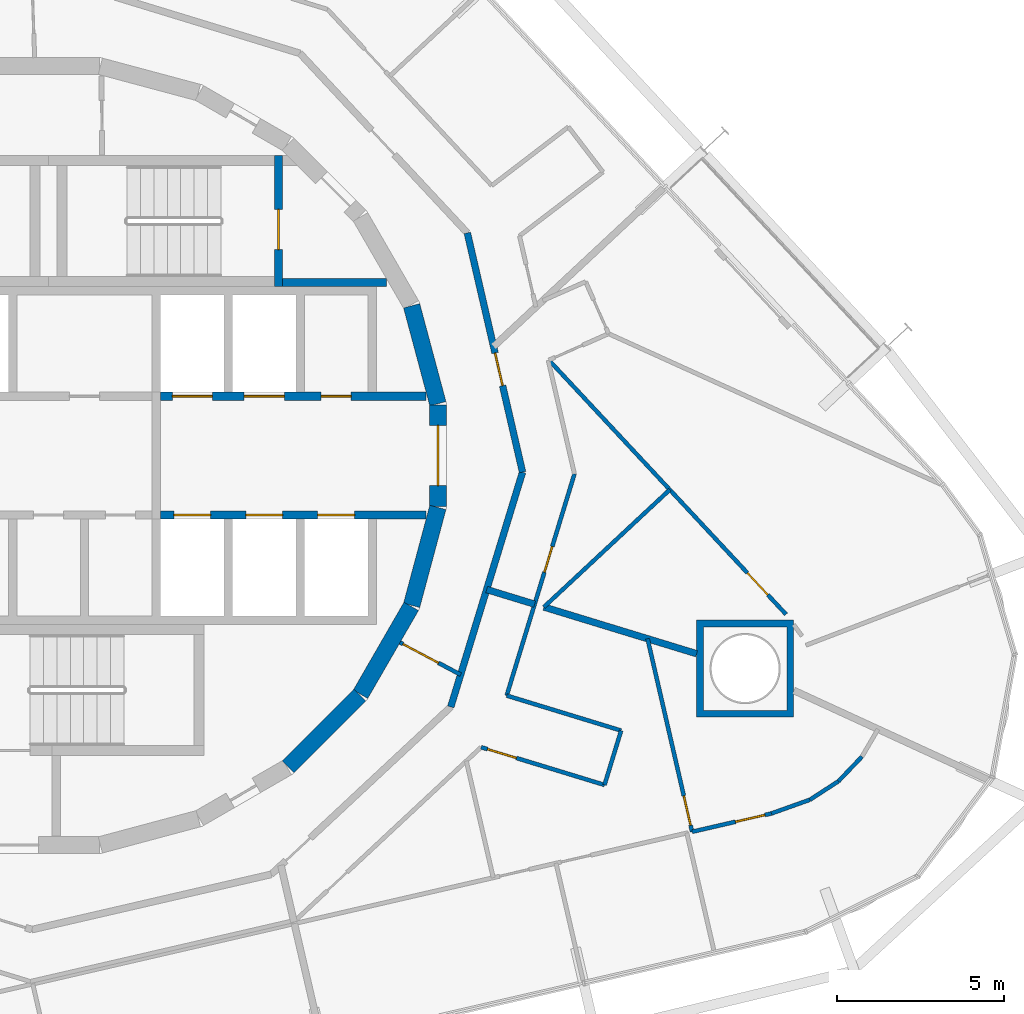
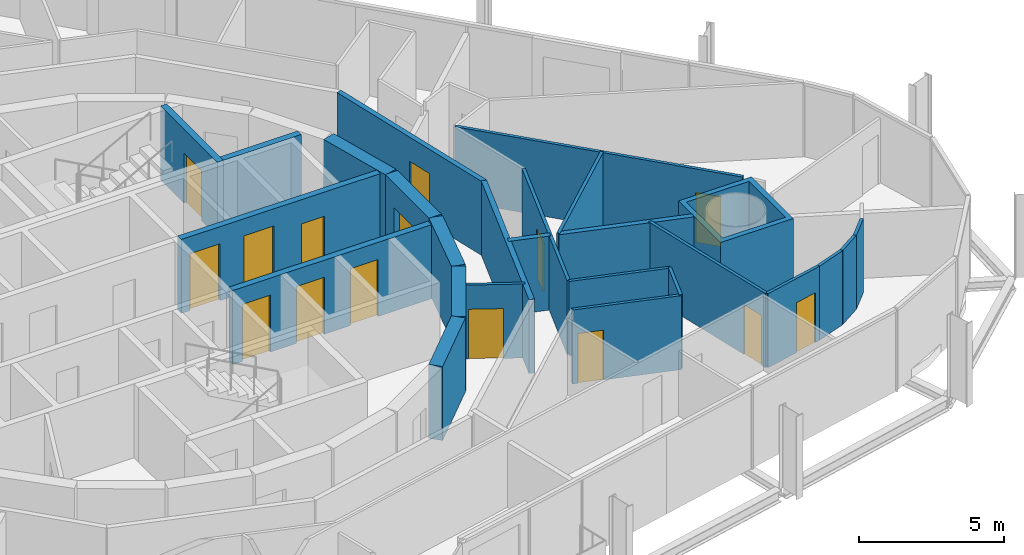
# One storey, part 14 of 18: 26 walls, 15 doors, 15 openings.
"""IFC4 building model written with IfcOpenShell, lengths in metres."""

import ifcopenshell
import ifcopenshell.guid

model = None  # the IFC model being written
_history = None  # IfcOwnerHistory: only IFC2X3 demands one
_inside = {}  # id of a spatial element -> (the spatial element, [elements in it])
_under = {}  # id of a project, library or spatial element -> (it, [spatial elements below it])
_declared = {}  # id of a project -> (the project, [libraries it declares])
_typed = {}  # id of a type object -> (the type object, [elements of that type])
_made_of = {}  # id of a material, layer set ... -> (it, [elements and type objects made of it])


def new_model(schema):
    """Start an empty IFC model of exactly this schema.

    Asked for "IFC4X3", IfcOpenShell would pick the latest addendum, in which some entities
    have other attributes; the version numbers below select the first issue.
    IFC2X3 requires an IfcOwnerHistory on every rooted entity: one is made here for all.
    """
    global model, _history
    if schema == "IFC4X3":
        model = ifcopenshell.file(schema_version=(4, 3, 0, 0))
    else:
        model = ifcopenshell.file(schema=schema)
    _inside.clear()
    _under.clear()
    _declared.clear()
    _typed.clear()
    _made_of.clear()
    _history = None
    if model.schema == "IFC2X3":
        org = make("IfcOrganization", Name="unknown")
        user = make(
            "IfcPersonAndOrganization",
            ThePerson=make("IfcPerson", FamilyName="unknown"),
            TheOrganization=org,
        )
        app = make(
            "IfcApplication",
            ApplicationDeveloper=org,
            Version="unknown",
            ApplicationFullName="unknown",
            ApplicationIdentifier="unknown",
        )
        _history = make(
            "IfcOwnerHistory",
            OwningUser=user,
            OwningApplication=app,
            ChangeAction="ADDED",
            CreationDate=0,
        )
    return model


def make(cls, **values):
    """One entity of the class cls with the attributes given. An attribute that is None is left unset."""
    return model.create_entity(
        cls, **{name: value for name, value in values.items() if value is not None}
    )


def rooted(cls, **values):
    """An entity with a GlobalId (a new one), such as an element, a storey or a relation."""
    return make(cls, GlobalId=ifcopenshell.guid.new(), OwnerHistory=_history, **values)


def si_unit(unit_type, name, prefix=None):
    """IfcSIUnit, for example si_unit("LENGTHUNIT", "METRE", prefix="MILLI")."""
    return make("IfcSIUnit", UnitType=unit_type, Prefix=prefix, Name=name)


def assignment(units):
    """IfcUnitAssignment: the units of a project."""
    return None if units is None else make("IfcUnitAssignment", Units=units)


def point(xyz):
    """IfcCartesianPoint."""
    return None if xyz is None else make("IfcCartesianPoint", Coordinates=xyz)


def direction(xyz):
    """IfcDirection."""
    return None if xyz is None else make("IfcDirection", DirectionRatios=xyz)


def frame(location, z_axis=None, x_axis=None):
    """IfcAxis2Placement3D, a coordinate frame: its origin and axes. An axis left out is left unset."""
    return make(
        "IfcAxis2Placement3D",
        Location=point(location),
        Axis=direction(z_axis),
        RefDirection=direction(x_axis),
    )


def frame_2d(location, x_axis=None):
    """IfcAxis2Placement2D, a coordinate frame in the plane: its origin and x axis."""
    return make(
        "IfcAxis2Placement2D", Location=point(location), RefDirection=direction(x_axis)
    )


def origin():
    """The frame at (0, 0, 0) with its axes left unset."""
    return frame((0.0, 0.0, 0.0))


def place(relative_to, where):
    """IfcLocalPlacement: puts the frame where relative to a parent placement (None: the world)."""
    return make(
        "IfcLocalPlacement", PlacementRelTo=relative_to, RelativePlacement=where
    )


def context(
    kind, dimensions, precision=None, world=None, true_north=None, identifier=None
):
    """IfcGeometricRepresentationContext, for example the 3D "Model" context."""
    return make(
        "IfcGeometricRepresentationContext",
        ContextIdentifier=identifier,
        ContextType=kind,
        CoordinateSpaceDimension=dimensions,
        Precision=precision,
        WorldCoordinateSystem=world,
        TrueNorth=true_north,
    )


def subcontext(parent, identifier, kind, view, scale=None):
    """IfcGeometricRepresentationSubContext, for example "Body" below "Model"."""
    return make(
        "IfcGeometricRepresentationSubContext",
        ContextIdentifier=identifier,
        ContextType=kind,
        ParentContext=parent,
        TargetScale=scale,
        TargetView=view,
    )


def project(units=None, contexts=None):
    """IfcProject with its units and contexts."""
    return rooted(
        "IfcProject",
        Name="project",
        RepresentationContexts=contexts,
        UnitsInContext=assignment(units),
    )


def spatial(cls, under=None, at=None, **own):
    """A site, building, storey or space (cls), placed at a placement, below another one or the project."""
    s = rooted(cls, ObjectPlacement=at, **own)
    if under is not None:
        _under.setdefault(under.id(), (under, []))[1].append(s)
    return s


def polyline(points):
    """IfcPolyline through the points."""
    return make("IfcPolyline", Points=[point(p) for p in points])


def profile(cls, at=None, kind="AREA", **sizes):
    """A parametric profile (cls). Its sizes go by their IFC names, for example OverallWidth=200.0."""
    return make(cls, ProfileType=kind, Position=at, **sizes)


def rectangle(**sizes):
    """IfcRectangleProfileDef."""
    return profile("IfcRectangleProfileDef", **sizes)


def outline(outer, holes=None, kind="AREA"):
    """IfcArbitraryClosedProfileDef: a profile drawn as a closed curve; with holes, ...WithVoids."""
    if holes is None:
        return make("IfcArbitraryClosedProfileDef", ProfileType=kind, OuterCurve=outer)
    return make(
        "IfcArbitraryProfileDefWithVoids",
        ProfileType=kind,
        OuterCurve=outer,
        InnerCurves=holes,
    )


def extrude(swept, where, along, depth):
    """IfcExtrudedAreaSolid: the profile swept, set in the frame where, extruded along a direction by depth."""
    return make(
        "IfcExtrudedAreaSolid",
        SweptArea=swept,
        Position=where,
        ExtrudedDirection=direction(along),
        Depth=depth,
    )


def shape(context_of_items, identifier, shape_type, items):
    """IfcShapeRepresentation: the items that make up one representation, for example the "Body"."""
    return make(
        "IfcShapeRepresentation",
        ContextOfItems=context_of_items,
        RepresentationIdentifier=identifier,
        RepresentationType=shape_type,
        Items=items,
    )


def material(Name=None, Category=None):
    """IfcMaterial."""
    return make("IfcMaterial", Name=Name, Category=Category)


def layer(
    of_material, thickness, ventilated=None, Name=None, Category=None, Priority=None
):
    """IfcMaterialLayer: one layer of a wall or slab, of a material (None: an air gap)."""
    return make(
        "IfcMaterialLayer",
        Material=of_material,
        LayerThickness=thickness,
        IsVentilated=ventilated,
        Name=Name,
        Category=Category,
        Priority=Priority,
    )


def layer_set(layers, Name=None):
    """IfcMaterialLayerSet."""
    return make("IfcMaterialLayerSet", MaterialLayers=layers, LayerSetName=Name)


def made_of(thing, what):
    """Note that an element or type object is made of a material, layer set ...; save() writes the relation."""
    if what is not None:
        _made_of.setdefault(what.id(), (what, []))[1].append(thing)
    return thing


def type_object(cls, material=None, **own):
    """A type object (cls), such as IfcWallType, which elements share."""
    return made_of(rooted(cls, **own), material)


def element(
    cls,
    number,
    at=None,
    inside=None,
    cuts=None,
    type_object=None,
    material=None,
    context=None,
    identifier="Body",
    shape_type=None,
    held_by="IfcProductDefinitionShape",
    body=None,
    shapes=None,
    **own,
):
    """One element of the class cls, such as IfcWall. Its Tag is "e" and its number.

    at: its placement. inside: the storey or other place that contains it. cuts: it is an
    opening in that element (IfcRelVoidsElement). A single representation is given by context,
    identifier, shape_type and body (its items); several are given by shapes. held_by: the class
    of the entity that holds the representations. save() writes the other relations.
    """
    e = rooted(cls, Tag="e%d" % number, ObjectPlacement=at, **own)
    if body is not None:
        shapes = [shape(context, identifier, shape_type, body)]
    if shapes is not None:
        e.Representation = make(held_by, Representations=shapes)
    if inside is not None:
        _inside.setdefault(inside.id(), (inside, []))[1].append(e)
    if cuts is not None:
        rooted(
            "IfcRelVoidsElement", RelatingBuildingElement=cuts, RelatedOpeningElement=e
        )
    if type_object is not None:
        _typed.setdefault(type_object.id(), (type_object, []))[1].append(e)
    return made_of(e, material)


def fill(opening, filler):
    """IfcRelFillsElement: the door or window that sits in an opening."""
    return rooted(
        "IfcRelFillsElement",
        RelatingOpeningElement=opening,
        RelatedBuildingElement=filler,
    )


def aggregate(whole, parts):
    """IfcRelAggregates: a whole, such as a stair, and the parts it consists of."""
    return rooted("IfcRelAggregates", RelatingObject=whole, RelatedObjects=parts)


def save(model, path):
    """Write the relations noted so far, then the file.

    IfcRelAggregates (storeys below a building ...), IfcRelContainedInSpatialStructure (elements
    in a storey), IfcRelDefinesByType, IfcRelAssociatesMaterial and IfcRelDeclares: one each for
    every whole, place, type object, material and project.
    """
    for whole, parts in _under.values():
        aggregate(whole, parts)
    for where, things in _inside.values():
        rooted(
            "IfcRelContainedInSpatialStructure",
            RelatedElements=things,
            RelatingStructure=where,
        )
    for kind, things in _typed.values():
        rooted("IfcRelDefinesByType", RelatedObjects=things, RelatingType=kind)
    for what, things in _made_of.values():
        rooted("IfcRelAssociatesMaterial", RelatedObjects=things, RelatingMaterial=what)
    for by, libraries in _declared.values():
        rooted("IfcRelDeclares", RelatingContext=by, RelatedDefinitions=libraries)
    model.write(path)


model = new_model("IFC4")

# Units and contexts
model_context = context("Model", 3, precision=1e-05, world=origin(), true_north=direction((0.0, 1.0)))
body_context = subcontext(model_context, "Body", "Model", "MODEL_VIEW")
ifc_project = project(units=[si_unit("LENGTHUNIT", "METRE"), si_unit("AREAUNIT", "SQUARE_METRE"), si_unit("VOLUMEUNIT", "CUBIC_METRE"), si_unit("PLANEANGLEUNIT", "RADIAN"), si_unit("MASSUNIT", "GRAM", prefix="KILO")], contexts=[model_context])

# Site, building, storey
site_placement = place(None, origin())
site = spatial("IfcSite", under=ifc_project, at=site_placement, CompositionType="ELEMENT")
building_placement = place(site_placement, origin())
building = spatial("IfcBuilding", under=site, at=building_placement, Name="Spindle Arch Residences", CompositionType="ELEMENT")
storey_placement = place(building_placement, frame((0.0, 0.0, 123.89990234375)))
storey = spatial("IfcBuildingStorey", under=building, at=storey_placement, Name="L30", CompositionType="ELEMENT", Elevation=123.89990234375)

# Walls
ifc_material_1 = material(Name="Concrete C50/60", Category="concrete")
ifc_layer_1 = layer(ifc_material_1, 0.5)
ifc_layer_set_1 = layer_set([ifc_layer_1], Name="Core outline wall 500")
wall_type_1 = type_object("IfcWallType", Name="Core outline wall 500", PredefinedType="SHEAR", material=ifc_layer_set_1)
wall_1_placement = place(storey_placement, frame((7.163818359375, -9.30810546875, 0.0), z_axis=(0.0, 0.0, 1.0), x_axis=(0.707106781187, 0.707106781187, 0.0)))
element("IfcWall", 1, at=wall_1_placement, inside=storey, type_object=wall_type_1, Name="Core outline wall 3", PredefinedType="SHEAR", context=body_context, shape_type="SweptSolid", body=[
    extrude(rectangle(XDim=3.032470703125, YDim=0.5, at=frame_2d((1.51611328125, 0.0))), origin(), (0.0, 0.0, 1.0), 3.1201171875),
])
for number, where, z_axis, x_axis, name in (
    (2, (9.32861328125, -7.13671875, 0.0), (0.0, 0.0, 1.0), (0.500087131594, 0.865975092491, 0.0), "Core outline wall 4"),
    (3, (10.858154296875, -4.479248046875, 0.0), (0.0, 0.0, 1.0), (0.258734743916, 0.965948410781, 0.0), "Core outline wall 5"),
):
    element("IfcWall", number, at=place(storey_placement, frame(where, z_axis=z_axis, x_axis=x_axis)), inside=storey, type_object=wall_type_1, Name=name, PredefinedType="SHEAR", context=body_context, shape_type="SweptSolid", body=[
        extrude(rectangle(XDim=3.03271484375, YDim=0.5, at=frame_2d((1.516357421875, 0.0))), origin(), (0.0, 0.0, 1.0), 3.1201171875),
    ])

# Wall, opening, door
wall_2_placement = place(storey_placement, frame((11.647216796875, -1.516357421875, 0.0), z_axis=(0.0, 0.0, 1.0), x_axis=(0.0, 1.0, 0.0)))
wall_2 = element("IfcWall", 4, at=wall_2_placement, inside=storey, type_object=wall_type_1, Name="Core outline wall 6", PredefinedType="SHEAR", context=body_context, shape_type="SweptSolid", body=[
    extrude(rectangle(XDim=3.03271484375, YDim=0.5, at=frame_2d((1.516357421875, 0.0))), origin(), (0.0, 0.0, 1.0), 3.1201171875),
])
opening_1_placement = place(wall_2_placement, frame((0.6162109375, 0.0, 0.0)))
opening_1 = element("IfcOpeningElement", 5, at=opening_1_placement, cuts=wall_2, Name="Opening R3B1-FE01", PredefinedType="OPENING", context=body_context, shape_type="SweptSolid", body=[
    extrude(rectangle(XDim=1.800048828125, YDim=2.10009765625, at=frame_2d((0.89990234375, 1.050048828125))), frame((0.0, 0.260009765625, 0.0), z_axis=(0.0, -1.0, 0.0), x_axis=(1.0, 0.0, 0.0)), (0.0, 0.0, 1.0), 0.52001953125),
])
ifc_material_2 = material(Name="Steel, fire-resisting door", Category="steel")
door_type_1 = type_object("IfcDoorType", Name="Fire-lift lobby door 1800x2100", OperationType="DOUBLE_DOOR_SINGLE_SWING", PredefinedType="DOOR", material=ifc_material_2)
door_1_placement = place(opening_1_placement, origin())
door_1 = element("IfcDoor", 6, at=door_1_placement, inside=storey, type_object=door_type_1, Name="Fire-lift lobby door R3B1-FE01", OperationType="DOUBLE_DOOR_SINGLE_SWING", OverallHeight=2.10009765625, OverallWidth=1.800048828125, PredefinedType="DOOR", context=body_context, shape_type="SweptSolid", body=[
    extrude(rectangle(XDim=1.800048828125, YDim=2.10009765625, at=frame_2d((0.89990234375, 1.050048828125))), frame((0.0, 0.02490234375, 0.0), z_axis=(0.0, -1.0, 0.0), x_axis=(1.0, 0.0, 0.0)), (0.0, 0.0, 1.0), 0.050048828125),
])
fill(opening_1, door_1)

# Wall
wall_3_placement = place(storey_placement, frame((11.642822265625, 1.5498046875, 0.0), z_axis=(0.0, 0.0, 1.0), x_axis=(-0.258734743916, 0.965948410781, 0.0)))
element("IfcWall", 7, at=wall_3_placement, inside=storey, type_object=wall_type_1, Name="Core outline wall 7", PredefinedType="SHEAR", context=body_context, shape_type="SweptSolid", body=[
    extrude(rectangle(XDim=3.03271484375, YDim=0.5, at=frame_2d((1.516357421875, 0.0))), origin(), (0.0, 0.0, 1.0), 3.1201171875),
])

# Wall, opening, door
ifc_material_3 = material(Name="Plasterboard on steel studs", Category="steel")
ifc_layer_2 = layer(ifc_material_3, 0.1201171875)
ifc_layer_set_2 = layer_set([ifc_layer_2], Name="Corridor division wall 120")
wall_type_2 = type_object("IfcWallType", Name="Corridor division wall 120", PredefinedType="PARTITIONING", material=ifc_layer_set_2)
wall_4_placement = place(storey_placement, frame((10.510986328125, -5.5888671875, 0.0), z_axis=(0.0, 0.0, 1.0), x_axis=(0.882987820808, -0.469395897196, 0.0)))
wall_4 = element("IfcWall", 8, at=wall_4_placement, inside=storey, type_object=wall_type_2, Name="Corridor division wall R3B1-W002", PredefinedType="PARTITIONING", context=body_context, shape_type="SweptSolid", body=[
    extrude(rectangle(XDim=2.0517578125, YDim=0.1201171875, at=frame_2d((1.02587890625, 0.0))), origin(), (0.0, 0.0, 1.0), 3.1201171875),
])
opening_2_placement = place(wall_4_placement, frame((0.10009765625, 0.0, 0.0)))
opening_2 = element("IfcOpeningElement", 9, at=opening_2_placement, cuts=wall_4, Name="Opening R3B1-CD02", PredefinedType="OPENING", context=body_context, shape_type="SweptSolid", body=[
    extrude(rectangle(XDim=1.199951171875, YDim=2.10009765625, at=frame_2d((0.60009765625, 1.050048828125))), frame((0.0, 0.070068359375, 0.0), z_axis=(0.0, -1.0, 0.0), x_axis=(1.0, 0.0, 0.0)), (0.0, 0.0, 1.0), 0.14013671875),
])
ifc_material_4 = material(Name="Steel, fire-resisting door", Category="steel")
door_type_2 = type_object("IfcDoorType", Name="Corridor division door 1200x2100", OperationType="NOTDEFINED", PredefinedType="DOOR", material=ifc_material_4)
door_2_placement = place(opening_2_placement, origin())
door_2 = element("IfcDoor", 10, at=door_2_placement, inside=storey, type_object=door_type_2, Name="Corridor division door R3B1-CD02", OperationType="DOUBLE_DOOR_SINGLE_SWING", OverallHeight=2.10009765625, OverallWidth=1.199951171875, PredefinedType="DOOR", context=body_context, shape_type="SweptSolid", body=[
    extrude(rectangle(XDim=1.199951171875, YDim=2.10009765625, at=frame_2d((0.60009765625, 1.050048828125))), frame((0.0, 0.02490234375, 0.0), z_axis=(0.0, -1.0, 0.0), x_axis=(1.0, 0.0, 0.0)), (0.0, 0.0, 1.0), 0.050048828125),
])
fill(opening_2, door_2)

ifc_material_5 = material(Name="Calcium silicate block, plastered")
ifc_layer_3 = layer(ifc_material_5, 0.199951171875)
ifc_layer_set_3 = layer_set([ifc_layer_3], Name="Corridor wall 200")
wall_type_3 = type_object("IfcWallType", Name="Corridor wall 200", PredefinedType="STANDARD", material=ifc_layer_set_3)
wall_5_placement = place(storey_placement, frame((14.174560546875, -0.4951171875, 0.0), z_axis=(0.0, 0.0, 1.0), x_axis=(-0.224922649383, 0.974376622151, 0.0)))
wall_5 = element("IfcWall", 11, at=wall_5_placement, inside=storey, type_object=wall_type_3, Name="Corridor wall R3B1-W004", PredefinedType="STANDARD", context=body_context, shape_type="SweptSolid", body=[
    extrude(rectangle(XDim=7.342041015625, YDim=0.199951171875, at=frame_2d((3.6708984375, 0.0))), origin(), (0.0, 0.0, 1.0), 3.1201171875),
])
opening_3_placement = place(wall_5_placement, frame((2.654541015625, 0.0, 0.0)))
opening_3 = element("IfcOpeningElement", 12, at=opening_3_placement, cuts=wall_5, Name="Opening R3B1-FD06", PredefinedType="OPENING", context=body_context, shape_type="SweptSolid", body=[
    extrude(rectangle(XDim=1.0, YDim=2.10009765625, at=frame_2d((0.5, 1.050048828125))), frame((0.0, 0.10986328125, 0.0), z_axis=(0.0, -1.0, 0.0), x_axis=(1.0, 0.0, 0.0)), (0.0, 0.0, 1.0), 0.219970703125),
])
ifc_material_6 = material(Name="Timber, fire-resisting door set", Category="wood")
door_type_3 = type_object("IfcDoorType", Name="Flat entrance door 1000x2100", OperationType="NOTDEFINED", PredefinedType="DOOR", material=ifc_material_6)
door_3_placement = place(opening_3_placement, origin())
door_3 = element("IfcDoor", 13, at=door_3_placement, inside=storey, type_object=door_type_3, Name="Flat entrance door R3B1-FD06", OperationType="SINGLE_SWING_LEFT", OverallHeight=2.10009765625, OverallWidth=1.0, PredefinedType="DOOR", context=body_context, shape_type="SweptSolid", body=[
    extrude(rectangle(XDim=1.0, YDim=2.10009765625, at=frame_2d((0.5, 1.050048828125))), frame((0.0, 0.02490234375, 0.0), z_axis=(0.0, -1.0, 0.0), x_axis=(1.0, 0.0, 0.0)), (0.0, 0.0, 1.0), 0.050048828125),
])
fill(opening_3, door_3)

# Wall
wall_6_placement = place(storey_placement, frame((12.028076171875, -7.51611328125, 0.0), z_axis=(0.0, 0.0, 1.0), x_axis=(0.292365533182, 0.956306642771, 0.0)))
element("IfcWall", 14, at=wall_6_placement, inside=storey, type_object=wall_type_3, Name="Corridor wall R3B1-W008", PredefinedType="STANDARD", context=body_context, shape_type="SweptSolid", body=[
    extrude(rectangle(XDim=7.341796875, YDim=0.199951171875, at=frame_2d((3.6708984375, 0.0))), origin(), (0.0, 0.0, 1.0), 3.1201171875),
])

# Wall, openings, doors
ifc_material_7 = material(Name="Concrete C40/50", Category="concrete")
ifc_layer_4 = layer(ifc_material_7, 0.25)
ifc_layer_set_4 = layer_set([ifc_layer_4], Name="Fire-lift lobby wall 250")
wall_type_4 = type_object("IfcWallType", Name="Fire-lift lobby wall 250", PredefinedType="SHEAR", material=ifc_layer_set_4)
wall_7_placement = place(storey_placement, frame((3.35009765625, 1.77490234375, 0.0), z_axis=(0.0, 0.0, 1.0), x_axis=(1.0, 0.0, 0.0)))
wall_7 = element("IfcWall", 15, at=wall_7_placement, inside=storey, type_object=wall_type_4, Name="Lift shaft front wall NE", PredefinedType="SHEAR", context=body_context, shape_type="SweptSolid", body=[
    extrude(rectangle(XDim=7.929931640625, YDim=0.25, at=frame_2d((3.96484375, 0.0))), origin(), (0.0, 0.0, 1.0), 3.1201171875),
])
opening_4_placement = place(wall_7_placement, frame((0.35009765625, 0.0, 0.0)))
opening_4 = element("IfcOpeningElement", 16, at=opening_4_placement, cuts=wall_7, Name="Opening R3B1-SLD01", PredefinedType="OPENING", context=body_context, shape_type="SweptSolid", body=[
    extrude(rectangle(XDim=1.199951171875, YDim=2.39990234375, at=frame_2d((0.60009765625, 1.199951171875))), frame((0.0, 0.135009765625, 0.0), z_axis=(0.0, -1.0, 0.0), x_axis=(1.0, 0.0, 0.0)), (0.0, 0.0, 1.0), 0.27001953125),
])
opening_5_placement = place(wall_7_placement, frame((2.5, 0.0, 0.0)))
opening_5 = element("IfcOpeningElement", 17, at=opening_5_placement, cuts=wall_7, Name="Opening R3B1-SLD02", PredefinedType="OPENING", context=body_context, shape_type="SweptSolid", body=[
    extrude(rectangle(XDim=1.199951171875, YDim=2.39990234375, at=frame_2d((0.60009765625, 1.199951171875))), frame((0.0, 0.135009765625, 0.0), z_axis=(0.0, -1.0, 0.0), x_axis=(1.0, 0.0, 0.0)), (0.0, 0.0, 1.0), 0.27001953125),
])
opening_6_placement = place(wall_7_placement, frame((4.800048828125, 0.0, 0.0)))
opening_6 = element("IfcOpeningElement", 18, at=opening_6_placement, cuts=wall_7, Name="Opening R3B1-WD02", PredefinedType="OPENING", context=body_context, shape_type="SweptSolid", body=[
    extrude(rectangle(XDim=0.89990234375, YDim=2.10009765625, at=frame_2d((0.449951171875, 1.050048828125))), frame((0.0, 0.135009765625, 0.0), z_axis=(0.0, -1.0, 0.0), x_axis=(1.0, 0.0, 0.0)), (0.0, 0.0, 1.0), 0.27001953125),
])
ifc_material_8 = material(Name="Steel, fire-resisting landing door", Category="steel")
door_type_4 = type_object("IfcDoorType", Name="Service lift landing door 1200x2400", OperationType="DOUBLE_DOOR_SLIDING", PredefinedType="DOOR", material=ifc_material_8)
door_4_placement = place(opening_4_placement, origin())
door_4 = element("IfcDoor", 19, at=door_4_placement, inside=storey, type_object=door_type_4, Name="Service lift landing door R3B1-SLD01", OperationType="DOUBLE_DOOR_SLIDING", OverallHeight=2.39990234375, OverallWidth=1.199951171875, PredefinedType="DOOR", context=body_context, shape_type="SweptSolid", body=[
    extrude(rectangle(XDim=1.199951171875, YDim=2.39990234375, at=frame_2d((0.60009765625, 1.199951171875))), frame((0.0, 0.02490234375, 0.0), z_axis=(0.0, -1.0, 0.0), x_axis=(1.0, 0.0, 0.0)), (0.0, 0.0, 1.0), 0.050048828125),
])
fill(opening_4, door_4)
door_5_placement = place(opening_5_placement, origin())
door_5 = element("IfcDoor", 20, at=door_5_placement, inside=storey, type_object=door_type_4, Name="Service lift landing door R3B1-SLD02", OperationType="DOUBLE_DOOR_SLIDING", OverallHeight=2.39990234375, OverallWidth=1.199951171875, PredefinedType="DOOR", context=body_context, shape_type="SweptSolid", body=[
    extrude(rectangle(XDim=1.199951171875, YDim=2.39990234375, at=frame_2d((0.60009765625, 1.199951171875))), frame((0.0, 0.02490234375, 0.0), z_axis=(0.0, -1.0, 0.0), x_axis=(1.0, 0.0, 0.0)), (0.0, 0.0, 1.0), 0.050048828125),
])
fill(opening_5, door_5)
ifc_material_9 = material(Name="Steel, fire-resisting door", Category="steel")
door_type_5 = type_object("IfcDoorType", Name="Service room door 900x2100", OperationType="SINGLE_SWING_LEFT", PredefinedType="DOOR", material=ifc_material_9)
door_6_placement = place(opening_6_placement, origin())
door_6 = element("IfcDoor", 21, at=door_6_placement, inside=storey, type_object=door_type_5, Name="Service room door R3B1-WD02", OperationType="SINGLE_SWING_LEFT", OverallHeight=2.10009765625, OverallWidth=0.89990234375, PredefinedType="DOOR", context=body_context, shape_type="SweptSolid", body=[
    extrude(rectangle(XDim=0.89990234375, YDim=2.10009765625, at=frame_2d((0.449951171875, 1.050048828125))), frame((0.0, 0.02490234375, 0.0), z_axis=(0.0, -1.0, 0.0), x_axis=(1.0, 0.0, 0.0)), (0.0, 0.0, 1.0), 0.050048828125),
])
fill(opening_6, door_6)

ifc_material_10 = material(Name="Concrete C50/60", Category="concrete")
ifc_layer_5 = layer(ifc_material_10, 0.25)
ifc_layer_set_5 = layer_set([ifc_layer_5], Name="Fire-lift shaft wall 250")
wall_type_5 = type_object("IfcWallType", Name="Fire-lift shaft wall 250", PredefinedType="SHEAR", material=ifc_layer_set_5)
wall_8_placement = place(storey_placement, frame((3.35009765625, -1.77490234375, 0.0), z_axis=(0.0, 0.0, 1.0), x_axis=(1.0, 0.0, 0.0)))
wall_8 = element("IfcWall", 22, at=wall_8_placement, inside=storey, type_object=wall_type_5, Name="Lift shaft front wall SE", PredefinedType="SHEAR", context=body_context, shape_type="SweptSolid", body=[
    extrude(rectangle(XDim=7.929931640625, YDim=0.25, at=frame_2d((3.96484375, 0.0))), origin(), (0.0, 0.0, 1.0), 3.1201171875),
])
opening_7_placement = place(wall_8_placement, frame((0.39990234375, 0.0, 0.0)))
opening_7 = element("IfcOpeningElement", 23, at=opening_7_placement, cuts=wall_8, Name="Opening R3B1-FLD01", PredefinedType="OPENING", context=body_context, shape_type="SweptSolid", body=[
    extrude(rectangle(XDim=1.10009765625, YDim=2.39990234375, at=frame_2d((0.550048828125, 1.199951171875))), frame((0.0, 0.135009765625, 0.0), z_axis=(0.0, -1.0, 0.0), x_axis=(1.0, 0.0, 0.0)), (0.0, 0.0, 1.0), 0.27001953125),
])
opening_8_placement = place(wall_8_placement, frame((2.550048828125, 0.0, 0.0)))
opening_8 = element("IfcOpeningElement", 24, at=opening_8_placement, cuts=wall_8, Name="Opening R3B1-FLD02", PredefinedType="OPENING", context=body_context, shape_type="SweptSolid", body=[
    extrude(rectangle(XDim=1.10009765625, YDim=2.39990234375, at=frame_2d((0.550048828125, 1.199951171875))), frame((0.0, 0.135009765625, 0.0), z_axis=(0.0, -1.0, 0.0), x_axis=(1.0, 0.0, 0.0)), (0.0, 0.0, 1.0), 0.27001953125),
])
opening_9_placement = place(wall_8_placement, frame((4.699951171875, 0.0, 0.0)))
opening_9 = element("IfcOpeningElement", 25, at=opening_9_placement, cuts=wall_8, Name="Opening R3B1-FLD03", PredefinedType="OPENING", context=body_context, shape_type="SweptSolid", body=[
    extrude(rectangle(XDim=1.10009765625, YDim=2.39990234375, at=frame_2d((0.550048828125, 1.199951171875))), frame((0.0, 0.135009765625, 0.0), z_axis=(0.0, -1.0, 0.0), x_axis=(1.0, 0.0, 0.0)), (0.0, 0.0, 1.0), 0.27001953125),
])
ifc_material_11 = material(Name="Steel, fire-resisting landing door", Category="steel")
door_type_6 = type_object("IfcDoorType", Name="Fire-fighting lift landing door 1100x2400", OperationType="DOUBLE_DOOR_SLIDING", PredefinedType="DOOR", material=ifc_material_11)
door_7_placement = place(opening_7_placement, origin())
door_7 = element("IfcDoor", 26, at=door_7_placement, inside=storey, type_object=door_type_6, Name="Fire-fighting lift landing door R3B1-FLD01", OperationType="DOUBLE_DOOR_SLIDING", OverallHeight=2.39990234375, OverallWidth=1.10009765625, PredefinedType="DOOR", context=body_context, shape_type="SweptSolid", body=[
    extrude(rectangle(XDim=1.10009765625, YDim=2.39990234375, at=frame_2d((0.550048828125, 1.199951171875))), frame((0.0, 0.02490234375, 0.0), z_axis=(0.0, -1.0, 0.0), x_axis=(1.0, 0.0, 0.0)), (0.0, 0.0, 1.0), 0.050048828125),
])
fill(opening_7, door_7)
door_8_placement = place(opening_8_placement, origin())
door_8 = element("IfcDoor", 27, at=door_8_placement, inside=storey, type_object=door_type_6, Name="Fire-fighting lift landing door R3B1-FLD02", OperationType="DOUBLE_DOOR_SLIDING", OverallHeight=2.39990234375, OverallWidth=1.10009765625, PredefinedType="DOOR", context=body_context, shape_type="SweptSolid", body=[
    extrude(rectangle(XDim=1.10009765625, YDim=2.39990234375, at=frame_2d((0.550048828125, 1.199951171875))), frame((0.0, 0.02490234375, 0.0), z_axis=(0.0, -1.0, 0.0), x_axis=(1.0, 0.0, 0.0)), (0.0, 0.0, 1.0), 0.050048828125),
])
fill(opening_8, door_8)
door_9_placement = place(opening_9_placement, origin())
door_9 = element("IfcDoor", 28, at=door_9_placement, inside=storey, type_object=door_type_6, Name="Fire-fighting lift landing door R3B1-FLD03", OperationType="DOUBLE_DOOR_SLIDING", OverallHeight=2.39990234375, OverallWidth=1.10009765625, PredefinedType="DOOR", context=body_context, shape_type="SweptSolid", body=[
    extrude(rectangle(XDim=1.10009765625, YDim=2.39990234375, at=frame_2d((0.550048828125, 1.199951171875))), frame((0.0, 0.02490234375, 0.0), z_axis=(0.0, -1.0, 0.0), x_axis=(1.0, 0.0, 0.0)), (0.0, 0.0, 1.0), 0.050048828125),
])
fill(opening_9, door_9)

# Wall, opening, door
ifc_material_12 = material(Name="Plasterboard on steel studs", Category="steel")
ifc_layer_6 = layer(ifc_material_12, 0.1201171875)
ifc_layer_set_6 = layer_set([ifc_layer_6], Name="Flat partition 120")
wall_type_6 = type_object("IfcWallType", Name="Flat partition 120", PredefinedType="PARTITIONING", material=ifc_layer_set_6)
wall_9_placement = place(storey_placement, frame((12.935302734375, -8.720947265625, 0.0), z_axis=(0.0, 0.0, 1.0), x_axis=(0.956306865441, -0.292364804843, 0.0)))
wall_9 = element("IfcWall", 29, at=wall_9_placement, inside=storey, type_object=wall_type_6, Name="Flat partition R3B1-W086", PredefinedType="PARTITIONING", context=body_context, shape_type="SweptSolid", body=[
    extrude(rectangle(XDim=3.85888671875, YDim=0.1201171875, at=frame_2d((1.929443359375, 0.0))), origin(), (0.0, 0.0, 1.0), 3.1201171875),
])
opening_10_placement = place(wall_9_placement, frame((0.199951171875, 0.0, 0.0)))
opening_10 = element("IfcOpeningElement", 30, at=opening_10_placement, cuts=wall_9, Name="Opening R3B1-ID24", PredefinedType="OPENING", context=body_context, shape_type="SweptSolid", body=[
    extrude(rectangle(XDim=0.89990234375, YDim=2.10009765625, at=frame_2d((0.449951171875, 1.050048828125))), frame((0.0, 0.070068359375, 0.0), z_axis=(0.0, -1.0, 0.0), x_axis=(1.0, 0.0, 0.0)), (0.0, 0.0, 1.0), 0.14013671875),
])
ifc_material_13 = material(Name="Timber door set", Category="wood")
door_type_7 = type_object("IfcDoorType", Name="Room door 900x2100", OperationType="NOTDEFINED", PredefinedType="DOOR", material=ifc_material_13)
door_10_placement = place(opening_10_placement, origin())
door_10 = element("IfcDoor", 31, at=door_10_placement, inside=storey, type_object=door_type_7, Name="Room door R3B1-ID24", OperationType="SINGLE_SWING_RIGHT", OverallHeight=2.10009765625, OverallWidth=0.89990234375, PredefinedType="DOOR", context=body_context, shape_type="SweptSolid", body=[
    extrude(rectangle(XDim=0.89990234375, YDim=2.10009765625, at=frame_2d((0.449951171875, 1.050048828125))), frame((0.0, 0.02490234375, 0.0), z_axis=(0.0, -1.0, 0.0), x_axis=(1.0, 0.0, 0.0)), (0.0, 0.0, 1.0), 0.050048828125),
])
fill(opening_10, door_10)

# Walls
wall_10_placement = place(storey_placement, frame((16.62548828125, -9.84912109375, 0.0), z_axis=(0.0, 0.0, 1.0), x_axis=(0.292390011609, 0.956299158795, 0.0)))
element("IfcWall", 32, at=wall_10_placement, inside=storey, type_object=wall_type_6, Name="Flat partition R3B1-W087", PredefinedType="PARTITIONING", context=body_context, shape_type="SweptSolid", body=[
    extrude(rectangle(XDim=1.699951171875, YDim=0.1201171875, at=frame_2d((0.85009765625, 0.0))), origin(), (0.0, 0.0, 1.0), 3.1201171875),
])
wall_11_placement = place(storey_placement, frame((17.12255859375, -8.223388671875, 0.0), z_axis=(0.0, 0.0, 1.0), x_axis=(-0.956299657224, 0.292388381428, 0.0)))
element("IfcWall", 33, at=wall_11_placement, inside=storey, type_object=wall_type_6, Name="Flat partition R3B1-W088", PredefinedType="PARTITIONING", context=body_context, shape_type="SweptSolid", body=[
    extrude(rectangle(XDim=3.578857421875, YDim=0.1201171875, at=frame_2d((1.78955078125, 0.0))), origin(), (0.0, 0.0, 1.0), 3.1201171875),
])

# Wall, opening, door
wall_12_placement = place(storey_placement, frame((13.7001953125, -7.177001953125, 0.0), z_axis=(0.0, 0.0, 1.0), x_axis=(0.292382309758, 0.956301513614, 0.0)))
wall_12 = element("IfcWall", 34, at=wall_12_placement, inside=storey, type_object=wall_type_6, Name="Flat partition R3B1-W089", PredefinedType="PARTITIONING", context=body_context, shape_type="SweptSolid", body=[
    extrude(rectangle(XDim=6.930419921875, YDim=0.1201171875, at=frame_2d((3.46533203125, 0.0))), origin(), (0.0, 0.0, 1.0), 3.1201171875),
])
opening_11_placement = place(wall_12_placement, frame((3.85791015625, 0.0, 0.0)))
opening_11 = element("IfcOpeningElement", 35, at=opening_11_placement, cuts=wall_12, Name="Opening R3B1-BD07", PredefinedType="OPENING", context=body_context, shape_type="SweptSolid", body=[
    extrude(rectangle(XDim=0.800048828125, YDim=2.10009765625, at=frame_2d((0.39990234375, 1.050048828125))), frame((0.0, 0.070068359375, 0.0), z_axis=(0.0, -1.0, 0.0), x_axis=(1.0, 0.0, 0.0)), (0.0, 0.0, 1.0), 0.14013671875),
])
ifc_material_14 = material(Name="Timber door set", Category="wood")
door_type_8 = type_object("IfcDoorType", Name="Bathroom door 800x2100", OperationType="NOTDEFINED", PredefinedType="DOOR", material=ifc_material_14)
door_11_placement = place(opening_11_placement, origin())
door_11 = element("IfcDoor", 36, at=door_11_placement, inside=storey, type_object=door_type_8, Name="Bathroom door R3B1-BD07", OperationType="SINGLE_SWING_LEFT", OverallHeight=2.10009765625, OverallWidth=0.800048828125, PredefinedType="DOOR", context=body_context, shape_type="SweptSolid", body=[
    extrude(rectangle(XDim=0.800048828125, YDim=2.10009765625, at=frame_2d((0.39990234375, 1.050048828125))), frame((0.0, 0.02490234375, 0.0), z_axis=(0.0, -1.0, 0.0), x_axis=(1.0, 0.0, 0.0)), (0.0, 0.0, 1.0), 0.050048828125),
])
fill(opening_11, door_11)

wall_13_placement = place(storey_placement, frame((19.2451171875, -11.25, 0.0), z_axis=(0.0, 0.0, 1.0), x_axis=(-0.224958805164, 0.974368275335, 0.0)))
wall_13 = element("IfcWall", 37, at=wall_13_placement, inside=storey, type_object=wall_type_6, Name="Flat partition R3B1-W093", PredefinedType="PARTITIONING", context=body_context, shape_type="SweptSolid", body=[
    extrude(rectangle(XDim=5.925537109375, YDim=0.1201171875, at=frame_2d((2.962890625, 0.0))), origin(), (0.0, 0.0, 1.0), 3.1201171875),
])
opening_12_placement = place(wall_13_placement, frame((0.199951171875, 0.0, 0.0)))
opening_12 = element("IfcOpeningElement", 38, at=opening_12_placement, cuts=wall_13, Name="Opening R3B1-ID27", PredefinedType="OPENING", context=body_context, shape_type="SweptSolid", body=[
    extrude(rectangle(XDim=0.89990234375, YDim=2.10009765625, at=frame_2d((0.449951171875, 1.050048828125))), frame((0.0, 0.070068359375, 0.0), z_axis=(0.0, -1.0, 0.0), x_axis=(1.0, 0.0, 0.0)), (0.0, 0.0, 1.0), 0.14013671875),
])
door_12_placement = place(opening_12_placement, origin())
door_12 = element("IfcDoor", 39, at=door_12_placement, inside=storey, type_object=door_type_7, Name="Room door R3B1-ID27", OperationType="SINGLE_SWING_RIGHT", OverallHeight=2.10009765625, OverallWidth=0.89990234375, PredefinedType="DOOR", context=body_context, shape_type="SweptSolid", body=[
    extrude(rectangle(XDim=0.89990234375, YDim=2.10009765625, at=frame_2d((0.449951171875, 1.050048828125))), frame((0.0, 0.02490234375, 0.0), z_axis=(0.0, -1.0, 0.0), x_axis=(1.0, 0.0, 0.0)), (0.0, 0.0, 1.0), 0.050048828125),
])
fill(opening_12, door_12)

# Walls
for number, where, z_axis, x_axis, name in (
    (40, (24.324462890625, -9.001708984375, 0.0), (0.0, 0.0, 1.0), (-0.690452883014, -0.723377367864, 0.0), "Flat partition R3B1-W095"),
    (41, (23.623046875, -9.736572265625, 0.0), (0.0, 0.0, 1.0), (-0.838718041084, -0.544565925816, 0.0), "Flat partition R3B1-W096"),
):
    element("IfcWall", number, at=place(storey_placement, frame(where, z_axis=z_axis, x_axis=x_axis)), inside=storey, type_object=wall_type_6, Name=name, PredefinedType="PARTITIONING", context=body_context, shape_type="SweptSolid", body=[
        extrude(rectangle(XDim=1.015869140625, YDim=0.1201171875, at=frame_2d((0.5078125, 0.0))), origin(), (0.0, 0.0, 1.0), 3.1201171875),
    ])
wall_14_placement = place(storey_placement, frame((22.77099609375, -10.289794921875, 0.0), z_axis=(0.0, 0.0, 1.0), x_axis=(-0.941701391526, -0.336449831623, 0.0)))
element("IfcWall", 42, at=wall_14_placement, inside=storey, type_object=wall_type_6, Name="Flat partition R3B1-W097", PredefinedType="PARTITIONING", context=body_context, shape_type="SweptSolid", body=[
    extrude(rectangle(XDim=1.22705078125, YDim=0.1201171875, at=frame_2d((0.613525390625, 0.0))), origin(), (0.0, 0.0, 1.0), 3.1201171875),
])

# Wall, opening, door
wall_15_placement = place(storey_placement, frame((21.615478515625, -10.70263671875, 0.0), z_axis=(0.0, 0.0, 1.0), x_axis=(-0.974359049184, -0.224998762825, 0.0)))
wall_15 = element("IfcWall", 43, at=wall_15_placement, inside=storey, type_object=wall_type_6, Name="Flat partition R3B1-W098", PredefinedType="PARTITIONING", context=body_context, shape_type="SweptSolid", body=[
    extrude(rectangle(XDim=2.4326171875, YDim=0.1201171875, at=frame_2d((1.21630859375, 0.0))), origin(), (0.0, 0.0, 1.0), 3.1201171875),
])
opening_13_placement = place(wall_15_placement, frame((0.199951171875, 0.0, 0.0)))
opening_13 = element("IfcOpeningElement", 44, at=opening_13_placement, cuts=wall_15, Name="Opening R3B1-ID28", PredefinedType="OPENING", context=body_context, shape_type="SweptSolid", body=[
    extrude(rectangle(XDim=0.89990234375, YDim=2.10009765625, at=frame_2d((0.449951171875, 1.050048828125))), frame((0.0, 0.070068359375, 0.0), z_axis=(0.0, -1.0, 0.0), x_axis=(1.0, 0.0, 0.0)), (0.0, 0.0, 1.0), 0.14013671875),
])
door_13_placement = place(opening_13_placement, origin())
door_13 = element("IfcDoor", 45, at=door_13_placement, inside=storey, type_object=door_type_7, Name="Room door R3B1-ID28", OperationType="SINGLE_SWING_RIGHT", OverallHeight=2.10009765625, OverallWidth=0.89990234375, PredefinedType="DOOR", context=body_context, shape_type="SweptSolid", body=[
    extrude(rectangle(XDim=0.89990234375, YDim=2.10009765625, at=frame_2d((0.449951171875, 1.050048828125))), frame((0.0, 0.02490234375, 0.0), z_axis=(0.0, -1.0, 0.0), x_axis=(1.0, 0.0, 0.0)), (0.0, 0.0, 1.0), 0.050048828125),
])
fill(opening_13, door_13)

# Wall
wall_16_placement = place(storey_placement, frame((18.5771484375, -1.019775390625, 0.0), z_axis=(0.0, 0.0, 1.0), x_axis=(-0.731348673524, -0.682003751994, 0.0)))
element("IfcWall", 46, at=wall_16_placement, inside=storey, type_object=wall_type_6, Name="Flat partition R3B1-W106", PredefinedType="PARTITIONING", context=body_context, shape_type="SweptSolid", body=[
    extrude(rectangle(XDim=5.1455078125, YDim=0.1201171875, at=frame_2d((2.57275390625, 0.0))), origin(), (0.0, 0.0, 1.0), 3.1201171875),
])

# Wall, opening, door
wall_17_placement = place(storey_placement, frame((22.054443359375, -4.748779296875, 0.0), z_axis=(0.0, 0.0, 1.0), x_axis=(-0.682014558945, 0.731338595582, 0.0)))
wall_17 = element("IfcWall", 47, at=wall_17_placement, inside=storey, type_object=wall_type_6, Name="Flat partition R3B1-W107", PredefinedType="PARTITIONING", context=body_context, shape_type="SweptSolid", body=[
    extrude(rectangle(XDim=10.3994140625, YDim=0.1201171875, at=frame_2d((5.19970703125, 0.0))), origin(), (0.0, 0.0, 1.0), 3.1201171875),
])
opening_14_placement = place(wall_17_placement, frame((0.800048828125, 0.0, 0.0)))
opening_14 = element("IfcOpeningElement", 48, at=opening_14_placement, cuts=wall_17, Name="Opening R3B1-ID32", PredefinedType="OPENING", context=body_context, shape_type="SweptSolid", body=[
    extrude(rectangle(XDim=0.89990234375, YDim=2.10009765625, at=frame_2d((0.449951171875, 1.050048828125))), frame((0.0, 0.070068359375, 0.0), z_axis=(0.0, -1.0, 0.0), x_axis=(1.0, 0.0, 0.0)), (0.0, 0.0, 1.0), 0.14013671875),
])
door_14_placement = place(opening_14_placement, origin())
door_14 = element("IfcDoor", 49, at=door_14_placement, inside=storey, type_object=door_type_7, Name="Room door R3B1-ID32", OperationType="SINGLE_SWING_RIGHT", OverallHeight=2.10009765625, OverallWidth=0.89990234375, PredefinedType="DOOR", context=body_context, shape_type="SweptSolid", body=[
    extrude(rectangle(XDim=0.89990234375, YDim=2.10009765625, at=frame_2d((0.449951171875, 1.050048828125))), frame((0.0, 0.02490234375, 0.0), z_axis=(0.0, -1.0, 0.0), x_axis=(1.0, 0.0, 0.0)), (0.0, 0.0, 1.0), 0.050048828125),
])
fill(opening_14, door_14)

# Walls
ifc_material_15 = material(Name="Calcium silicate block, plastered")
ifc_layer_7 = layer(ifc_material_15, 0.199951171875)
ifc_layer_set_7 = layer_set([ifc_layer_7], Name="Flat party wall 200")
wall_type_7 = type_object("IfcWallType", Name="Flat party wall 200", PredefinedType="STANDARD", material=ifc_layer_set_7)
wall_18_placement = place(storey_placement, frame((14.535888671875, -4.444091796875, 0.0), z_axis=(0.0, 0.0, 1.0), x_axis=(-0.956326299111, 0.292301230974, 0.0)))
element("IfcWall", 50, at=wall_18_placement, inside=storey, type_object=wall_type_7, Name="Flat party wall R3B1-W024", PredefinedType="STANDARD", context=body_context, shape_type="SweptSolid", body=[
    extrude(rectangle(XDim=1.5, YDim=0.199951171875, at=frame_2d((0.75, 0.0))), origin(), (0.0, 0.0, 1.0), 3.1201171875),
])
wall_19_placement = place(storey_placement, frame((19.3798828125, -5.925048828125, 0.0), z_axis=(0.0, 0.0, 1.0), x_axis=(-0.956301542054, 0.29238221674, 0.0)))
element("IfcWall", 51, at=wall_19_placement, inside=storey, type_object=wall_type_7, Name="Flat party wall R3B1-W025", PredefinedType="STANDARD", context=body_context, shape_type="SweptSolid", body=[
    extrude(rectangle(XDim=4.774658203125, YDim=0.199951171875, at=frame_2d((2.38720703125, 0.0))), origin(), (0.0, 0.0, 1.0), 3.1201171875),
])
ifc_material_16 = material(Name="Calcium silicate block, plastered")
ifc_layer_8 = layer(ifc_material_16, 0.199951171875)
ifc_layer_set_8 = layer_set([ifc_layer_8], Name="Mega-column casing wall 200")
wall_type_8 = type_object("IfcWallType", Name="Mega-column casing wall 200", PredefinedType="STANDARD", material=ifc_layer_set_8)
wall_20_placement = place(storey_placement, origin())
element("IfcWall", 52, at=wall_20_placement, inside=storey, type_object=wall_type_8, Name="Mega-column casing wall R3B1-WC03", PredefinedType="STANDARD", context=body_context, shape_type="SweptSolid", body=[
    extrude(outline(polyline([(22.280029296875, -4.91845703125), (22.280029296875, -7.818359375), (19.3798828125, -7.818359375), (19.3798828125, -4.91845703125), (22.280029296875, -4.91845703125)]), holes=[polyline([(19.580078125, -7.618408203125), (22.080078125, -7.618408203125), (22.080078125, -5.118408203125), (19.580078125, -5.118408203125), (19.580078125, -7.618408203125)])]), origin(), (0.0, 0.0, 1.0), 3.1201171875),
])
ifc_material_17 = material(Name="Concrete C40/50", Category="concrete")
ifc_layer_9 = layer(ifc_material_17, 0.25)
ifc_layer_set_9 = layer_set([ifc_layer_9], Name="Stair airlock wall 250")
wall_type_9 = type_object("IfcWallType", Name="Stair airlock wall 250", PredefinedType="SHEAR", material=ifc_layer_set_9)
wall_21_placement = place(storey_placement, frame((7.0, 5.175048828125, 0.0), z_axis=(0.0, 0.0, 1.0), x_axis=(1.0, 0.0, 0.0)))
element("IfcWall", 53, at=wall_21_placement, inside=storey, type_object=wall_type_9, Name="Stair ST-1 airlock wall S", PredefinedType="SHEAR", context=body_context, shape_type="SweptSolid", body=[
    extrude(rectangle(XDim=3.10009765625, YDim=0.25, at=frame_2d((1.550048828125, 0.0))), origin(), (0.0, 0.0, 1.0), 3.1201171875),
])

# Wall, opening, door
ifc_material_18 = material(Name="Concrete C50/60", Category="concrete")
ifc_layer_10 = layer(ifc_material_18, 0.25)
ifc_layer_set_10 = layer_set([ifc_layer_10], Name="Stair enclosure wall 250")
wall_type_10 = type_object("IfcWallType", Name="Stair enclosure wall 250", PredefinedType="SHEAR", material=ifc_layer_set_10)
wall_22_placement = place(storey_placement, frame((6.875, 5.050048828125, 0.0), z_axis=(0.0, 0.0, 1.0), x_axis=(0.0, 1.0, 0.0)))
wall_22 = element("IfcWall", 54, at=wall_22_placement, inside=storey, type_object=wall_type_10, Name="Stair ST-1 door wall", PredefinedType="SHEAR", context=body_context, shape_type="SweptSolid", body=[
    extrude(rectangle(XDim=3.919921875, YDim=0.25, at=frame_2d((1.9599609375, 0.0))), origin(), (0.0, 0.0, 1.0), 3.1201171875),
])
opening_15_placement = place(wall_22_placement, frame((1.110107421875, 0.0, 0.0)))
opening_15 = element("IfcOpeningElement", 55, at=opening_15_placement, cuts=wall_22, Name="Opening R3B1-SD01", PredefinedType="OPENING", context=body_context, shape_type="SweptSolid", body=[
    extrude(rectangle(XDim=1.199951171875, YDim=2.10009765625, at=frame_2d((0.60009765625, 1.050048828125))), frame((0.0, 0.135009765625, 0.0), z_axis=(0.0, -1.0, 0.0), x_axis=(1.0, 0.0, 0.0)), (0.0, 0.0, 1.0), 0.27001953125),
])
ifc_material_19 = material(Name="Steel, fire-resisting door", Category="steel")
door_type_9 = type_object("IfcDoorType", Name="Stair door 1200x2100", OperationType="SINGLE_SWING_RIGHT", PredefinedType="DOOR", material=ifc_material_19)
door_15_placement = place(opening_15_placement, origin())
door_15 = element("IfcDoor", 56, at=door_15_placement, inside=storey, type_object=door_type_9, Name="Stair door R3B1-SD01", OperationType="SINGLE_SWING_LEFT", OverallHeight=2.10009765625, OverallWidth=1.199951171875, PredefinedType="DOOR", context=body_context, shape_type="SweptSolid", body=[
    extrude(rectangle(XDim=1.199951171875, YDim=2.10009765625, at=frame_2d((0.60009765625, 1.050048828125))), frame((0.0, 0.02490234375, 0.0), z_axis=(0.0, -1.0, 0.0), x_axis=(1.0, 0.0, 0.0)), (0.0, 0.0, 1.0), 0.050048828125),
])
fill(opening_15, door_15)

save(model, "model.ifc")
